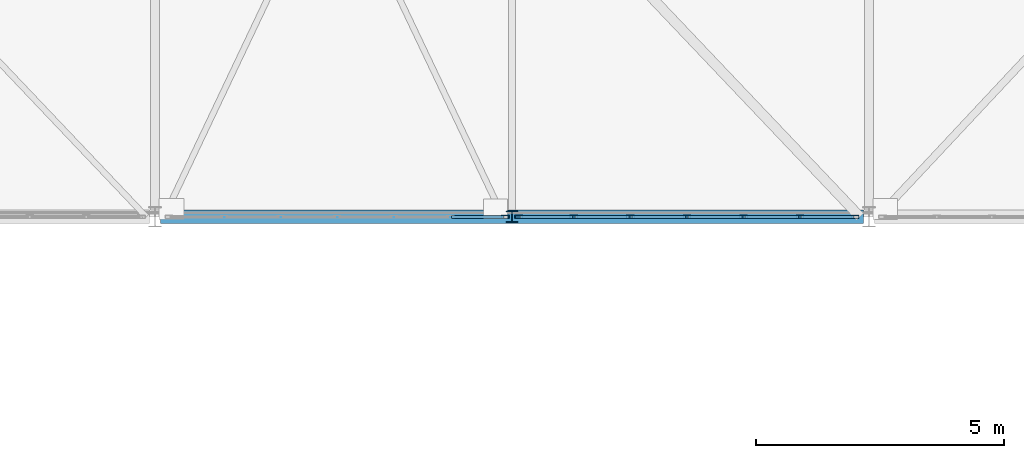
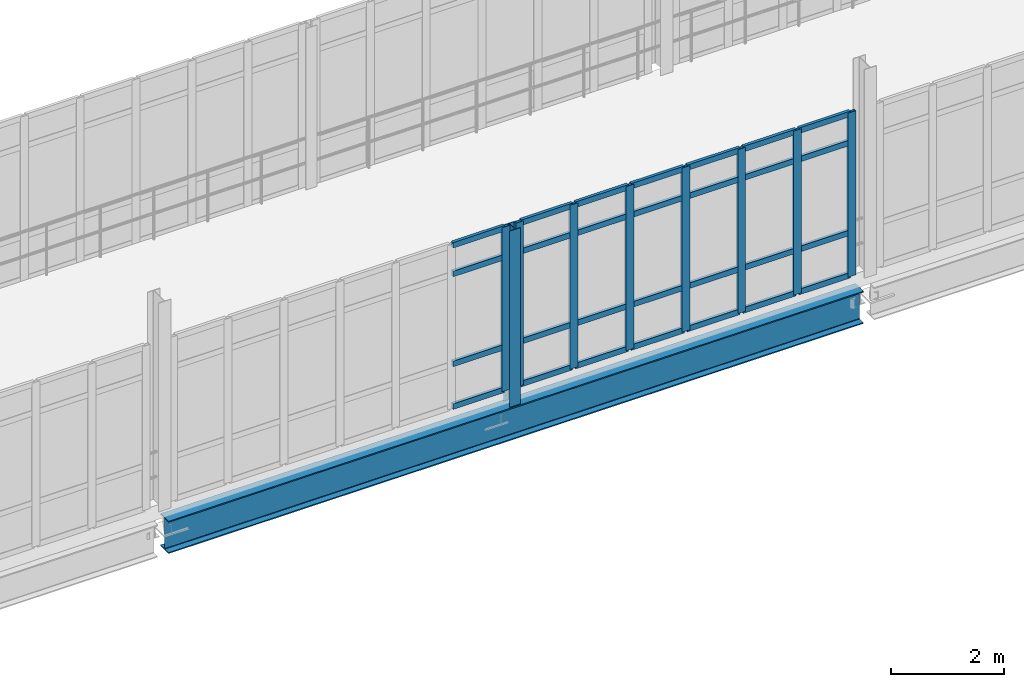
# One storey, part 43 of 116: 37 members, 1 beam, 2 elements without a shape of their own.
"""IFC4 building model written with IfcOpenShell, lengths in metres."""

from ifc_helpers import new_model, si_unit, direction, frame, origin, origin_2d, place, context, subcontext, project, spatial, hollow_rectangle, i_section, extrude, material, material_profile, profile_set, type_object, element, aggregate, save


model = new_model("IFC4")

# Units and contexts
model_context = context("Model", 3, precision=1e-05, world=origin(), true_north=direction((0.0, 1.0)))
body_context = subcontext(model_context, "Body", "Model", "MODEL_VIEW")
ifc_project = project(units=[si_unit("LENGTHUNIT", "METRE"), si_unit("AREAUNIT", "SQUARE_METRE"), si_unit("VOLUMEUNIT", "CUBIC_METRE"), si_unit("PLANEANGLEUNIT", "RADIAN"), si_unit("MASSUNIT", "GRAM", prefix="KILO")], contexts=[model_context])

# Site, building, storey
site_placement = place(None, origin())
site = spatial("IfcSite", under=ifc_project, at=site_placement, CompositionType="ELEMENT")
building_placement = place(site_placement, origin())
building = spatial("IfcBuilding", under=site, at=building_placement, Name="Kalluvel Institute of Natural Sciences", CompositionType="ELEMENT")
storey_placement = place(building_placement, frame((0.0, 0.0, 14.39990234375)))
storey = spatial("IfcBuildingStorey", under=building, at=storey_placement, Name="L03", CompositionType="ELEMENT", Elevation=14.39990234375)

# Beam
ifc_material_1 = material(Name="Steel E350 Grade 350", Category="steel")
ifc_material_profile_1 = material_profile(ifc_material_1, i_section(OverallWidth=0.280029296875, OverallDepth=0.699951171875, WebThickness=0.013916015625, FlangeThickness=0.02392578125, FilletRadius=0.01611328125, at=origin_2d()), Name="WPG 700x280")
ifc_profile_set_1 = profile_set([ifc_material_profile_1], Name="Steel E350 Grade 350")
beam_type = type_object("IfcBeamType", Name="BM-WPG700", PredefinedType="BEAM", material=ifc_profile_set_1)
beam_placement = place(storey_placement, frame((78.909912109375, 28.39990234375, -0.669921875), z_axis=(1.0, 0.0, 0.0), x_axis=(0.0, 1.0, 0.0)))
element("IfcBeam", 1, at=beam_placement, inside=storey, type_object=beam_type, Name="L03 link bridge main plate-girder chord 9", PredefinedType="BEAM", context=body_context, shape_type="SweptSolid", body=[
    extrude(i_section(OverallWidth=0.280029296875, OverallDepth=0.699951171875, WebThickness=0.013916015625, FlangeThickness=0.02392578125, FilletRadius=0.01611328125, at=origin_2d()), origin(), (0.0, 0.0, 1.0), 14.18017578125),
])

# Curtain wall, member
ifc_material_2 = material(Name="Aluminium AW-6063 T6", Category="aluminium")
curtain_wall_type = type_object("IfcCurtainWallType", Name="CW-BRG-45", PredefinedType="USERDEFINED", material=ifc_material_2)
curtain_wall_1_placement = place(storey_placement, origin())
curtain_wall_1 = element("IfcCurtainWall", 2, at=curtain_wall_1_placement, inside=storey, type_object=curtain_wall_type, Name="L03 Gothic lancet curtain wall CWA-L03-X790-Y284", ObjectType="UNITISED LANCET FACADE", PredefinedType="USERDEFINED")
ifc_material_profile_2 = material_profile(ifc_material_2, hollow_rectangle(XDim=0.06005859375, YDim=0.159912109375, WallThickness=0.00390625, at=origin_2d()), Name="CWM 60x160")
ifc_profile_set_2 = profile_set([ifc_material_profile_2], Name="Aluminium AW-6063 T6")
member_type_1 = type_object("IfcMemberType", Name="CWM-60x160", PredefinedType="MULLION", material=ifc_profile_set_2)
member_1_placement = place(storey_placement, frame((85.860107421875, 28.39990234375, 0.0), z_axis=(0.0, 0.0, 1.0), x_axis=(0.0, 1.0, 0.0)))
member_1 = element("IfcMember", 3, at=member_1_placement, type_object=member_type_1, Name="CW-07 mullion 7", PredefinedType="MULLION", context=body_context, shape_type="SweptSolid", body=[
    extrude(hollow_rectangle(XDim=0.06005859375, YDim=0.159912109375, WallThickness=0.00390625, at=origin_2d()), origin(), (0.0, 0.0, 1.0), 3.5400390625),
])

# Curtain wall, members
curtain_wall_2_placement = place(storey_placement, origin())
curtain_wall_2 = element("IfcCurtainWall", 4, at=curtain_wall_2_placement, inside=storey, type_object=curtain_wall_type, Name="L03 Gothic lancet curtain wall CWA-L03-X861-Y284", ObjectType="UNITISED LANCET FACADE", PredefinedType="USERDEFINED")
member_2_placement = place(storey_placement, frame((86.139892578125, 28.39990234375, 0.0), z_axis=(0.0, 0.0, 1.0), x_axis=(0.0, 1.0, 0.0)))
member_2 = element("IfcMember", 5, at=member_2_placement, type_object=member_type_1, Name="CW-07 mullion 1", PredefinedType="MULLION", context=body_context, shape_type="SweptSolid", body=[
    extrude(hollow_rectangle(XDim=0.06005859375, YDim=0.159912109375, WallThickness=0.00390625, at=origin_2d()), origin(), (0.0, 0.0, 1.0), 3.5400390625),
])
member_3_placement = place(storey_placement, frame((87.25, 28.39990234375, 0.0), z_axis=(0.0, 0.0, 1.0), x_axis=(0.0, 1.0, 0.0)))
member_3 = element("IfcMember", 6, at=member_3_placement, type_object=member_type_1, Name="CW-07 mullion 2", PredefinedType="MULLION", context=body_context, shape_type="SweptSolid", body=[
    extrude(hollow_rectangle(XDim=0.06005859375, YDim=0.159912109375, WallThickness=0.00390625, at=origin_2d()), origin(), (0.0, 0.0, 1.0), 3.5400390625),
])
member_4_placement = place(storey_placement, frame((88.389892578125, 28.39990234375, 0.0), z_axis=(0.0, 0.0, 1.0), x_axis=(0.0, 1.0, 0.0)))
member_4 = element("IfcMember", 7, at=member_4_placement, type_object=member_type_1, Name="CW-07 mullion 3", PredefinedType="MULLION", context=body_context, shape_type="SweptSolid", body=[
    extrude(hollow_rectangle(XDim=0.06005859375, YDim=0.159912109375, WallThickness=0.00390625, at=origin_2d()), origin(), (0.0, 0.0, 1.0), 3.5400390625),
])
member_5_placement = place(storey_placement, frame((89.530029296875, 28.39990234375, 0.0), z_axis=(0.0, 0.0, 1.0), x_axis=(0.0, 1.0, 0.0)))
member_5 = element("IfcMember", 8, at=member_5_placement, type_object=member_type_1, Name="CW-07 mullion 4", PredefinedType="MULLION", context=body_context, shape_type="SweptSolid", body=[
    extrude(hollow_rectangle(XDim=0.06005859375, YDim=0.159912109375, WallThickness=0.00390625, at=origin_2d()), origin(), (0.0, 0.0, 1.0), 3.5400390625),
])
member_6_placement = place(storey_placement, frame((90.669921875, 28.39990234375, 0.0), z_axis=(0.0, 0.0, 1.0), x_axis=(0.0, 1.0, 0.0)))
member_6 = element("IfcMember", 9, at=member_6_placement, type_object=member_type_1, Name="CW-07 mullion 5", PredefinedType="MULLION", context=body_context, shape_type="SweptSolid", body=[
    extrude(hollow_rectangle(XDim=0.06005859375, YDim=0.159912109375, WallThickness=0.00390625, at=origin_2d()), origin(), (0.0, 0.0, 1.0), 3.5400390625),
])
member_7_placement = place(storey_placement, frame((91.81005859375, 28.39990234375, 0.0), z_axis=(0.0, 0.0, 1.0), x_axis=(0.0, 1.0, 0.0)))
member_7 = element("IfcMember", 10, at=member_7_placement, type_object=member_type_1, Name="CW-07 mullion 6", PredefinedType="MULLION", context=body_context, shape_type="SweptSolid", body=[
    extrude(hollow_rectangle(XDim=0.06005859375, YDim=0.159912109375, WallThickness=0.00390625, at=origin_2d()), origin(), (0.0, 0.0, 1.0), 3.5400390625),
])
member_8_placement = place(storey_placement, frame((92.919921875, 28.39990234375, 0.0), z_axis=(0.0, 0.0, 1.0), x_axis=(0.0, 1.0, 0.0)))
member_8 = element("IfcMember", 11, at=member_8_placement, type_object=member_type_1, Name="CW-07 mullion 7", PredefinedType="MULLION", context=body_context, shape_type="SweptSolid", body=[
    extrude(hollow_rectangle(XDim=0.06005859375, YDim=0.159912109375, WallThickness=0.00390625, at=origin_2d()), origin(), (0.0, 0.0, 1.0), 3.5400390625),
])

# Member
ifc_material_profile_3 = material_profile(ifc_material_2, hollow_rectangle(XDim=0.06005859375, YDim=0.1201171875, WallThickness=0.00390625, at=origin_2d()), Name="CWT 60x120")
ifc_profile_set_3 = profile_set([ifc_material_profile_3], Name="Aluminium AW-6063 T6")
member_type_2 = type_object("IfcMemberType", Name="CWT-60x120", PredefinedType="USERDEFINED", material=ifc_profile_set_3)
member_9_placement = place(storey_placement, frame((84.780029296875, 28.39990234375, 0.030029296875), z_axis=(1.0, 0.0, 0.0), x_axis=(0.0, 1.0, 0.0)))
member_9 = element("IfcMember", 12, at=member_9_placement, type_object=member_type_2, Name="CW-07 transom 6.1", ObjectType="TRANSOM", PredefinedType="USERDEFINED", context=body_context, shape_type="SweptSolid", body=[
    extrude(hollow_rectangle(XDim=0.06005859375, YDim=0.1201171875, WallThickness=0.00390625, at=origin_2d()), origin(), (0.0, 0.0, 1.0), 1.050048828125),
])

member_10_placement = place(storey_placement, frame((84.780029296875, 28.39990234375, 0.9501953125), z_axis=(1.0, 0.0, 0.0), x_axis=(0.0, 1.0, 0.0)))
member_10 = element("IfcMember", 13, at=member_10_placement, type_object=member_type_2, Name="CW-07 transom 6.2", ObjectType="TRANSOM", PredefinedType="USERDEFINED", context=body_context, shape_type="SweptSolid", body=[
    extrude(hollow_rectangle(XDim=0.06005859375, YDim=0.1201171875, WallThickness=0.00390625, at=origin_2d()), origin(), (0.0, 0.0, 1.0), 1.050048828125),
])

member_11_placement = place(storey_placement, frame((84.780029296875, 28.39990234375, 2.89013671875), z_axis=(1.0, 0.0, 0.0), x_axis=(0.0, 1.0, 0.0)))
member_11 = element("IfcMember", 14, at=member_11_placement, type_object=member_type_2, Name="CW-07 transom 6.3", ObjectType="TRANSOM", PredefinedType="USERDEFINED", context=body_context, shape_type="SweptSolid", body=[
    extrude(hollow_rectangle(XDim=0.06005859375, YDim=0.1201171875, WallThickness=0.00390625, at=origin_2d()), origin(), (0.0, 0.0, 1.0), 1.050048828125),
])

member_12_placement = place(storey_placement, frame((84.780029296875, 28.39990234375, 3.510009765625), z_axis=(1.0, 0.0, 0.0), x_axis=(0.0, 1.0, 0.0)))
member_12 = element("IfcMember", 15, at=member_12_placement, type_object=member_type_2, Name="CW-07 transom 6.4", ObjectType="TRANSOM", PredefinedType="USERDEFINED", context=body_context, shape_type="SweptSolid", body=[
    extrude(hollow_rectangle(XDim=0.06005859375, YDim=0.1201171875, WallThickness=0.00390625, at=origin_2d()), origin(), (0.0, 0.0, 1.0), 1.050048828125),
])

aggregate(curtain_wall_1, [member_1, member_9, member_10, member_11, member_12])

member_13_placement = place(storey_placement, frame((86.169921875, 28.39990234375, 0.030029296875), z_axis=(1.0, 0.0, 0.0), x_axis=(0.0, 1.0, 0.0)))
member_13 = element("IfcMember", 16, at=member_13_placement, type_object=member_type_2, Name="CW-07 transom 1.1", ObjectType="TRANSOM", PredefinedType="USERDEFINED", context=body_context, shape_type="SweptSolid", body=[
    extrude(hollow_rectangle(XDim=0.06005859375, YDim=0.1201171875, WallThickness=0.00390625, at=origin_2d()), origin(), (0.0, 0.0, 1.0), 1.050048828125),
])

member_14_placement = place(storey_placement, frame((86.169921875, 28.39990234375, 0.9501953125), z_axis=(1.0, 0.0, 0.0), x_axis=(0.0, 1.0, 0.0)))
member_14 = element("IfcMember", 17, at=member_14_placement, type_object=member_type_2, Name="CW-07 transom 1.2", ObjectType="TRANSOM", PredefinedType="USERDEFINED", context=body_context, shape_type="SweptSolid", body=[
    extrude(hollow_rectangle(XDim=0.06005859375, YDim=0.1201171875, WallThickness=0.00390625, at=origin_2d()), origin(), (0.0, 0.0, 1.0), 1.050048828125),
])

member_15_placement = place(storey_placement, frame((86.169921875, 28.39990234375, 2.89013671875), z_axis=(1.0, 0.0, 0.0), x_axis=(0.0, 1.0, 0.0)))
member_15 = element("IfcMember", 18, at=member_15_placement, type_object=member_type_2, Name="CW-07 transom 1.3", ObjectType="TRANSOM", PredefinedType="USERDEFINED", context=body_context, shape_type="SweptSolid", body=[
    extrude(hollow_rectangle(XDim=0.06005859375, YDim=0.1201171875, WallThickness=0.00390625, at=origin_2d()), origin(), (0.0, 0.0, 1.0), 1.050048828125),
])

member_16_placement = place(storey_placement, frame((86.169921875, 28.39990234375, 3.510009765625), z_axis=(1.0, 0.0, 0.0), x_axis=(0.0, 1.0, 0.0)))
member_16 = element("IfcMember", 19, at=member_16_placement, type_object=member_type_2, Name="CW-07 transom 1.4", ObjectType="TRANSOM", PredefinedType="USERDEFINED", context=body_context, shape_type="SweptSolid", body=[
    extrude(hollow_rectangle(XDim=0.06005859375, YDim=0.1201171875, WallThickness=0.00390625, at=origin_2d()), origin(), (0.0, 0.0, 1.0), 1.050048828125),
])

member_17_placement = place(storey_placement, frame((87.280029296875, 28.39990234375, 0.030029296875), z_axis=(1.0, 0.0, 0.0), x_axis=(0.0, 1.0, 0.0)))
member_17 = element("IfcMember", 20, at=member_17_placement, type_object=member_type_2, Name="CW-07 transom 2.1", ObjectType="TRANSOM", PredefinedType="USERDEFINED", context=body_context, shape_type="SweptSolid", body=[
    extrude(hollow_rectangle(XDim=0.06005859375, YDim=0.1201171875, WallThickness=0.00390625, at=origin_2d()), origin(), (0.0, 0.0, 1.0), 1.080078125),
])

member_18_placement = place(storey_placement, frame((87.280029296875, 28.39990234375, 0.9501953125), z_axis=(1.0, 0.0, 0.0), x_axis=(0.0, 1.0, 0.0)))
member_18 = element("IfcMember", 21, at=member_18_placement, type_object=member_type_2, Name="CW-07 transom 2.2", ObjectType="TRANSOM", PredefinedType="USERDEFINED", context=body_context, shape_type="SweptSolid", body=[
    extrude(hollow_rectangle(XDim=0.06005859375, YDim=0.1201171875, WallThickness=0.00390625, at=origin_2d()), origin(), (0.0, 0.0, 1.0), 1.080078125),
])

member_19_placement = place(storey_placement, frame((87.280029296875, 28.39990234375, 2.89013671875), z_axis=(1.0, 0.0, 0.0), x_axis=(0.0, 1.0, 0.0)))
member_19 = element("IfcMember", 22, at=member_19_placement, type_object=member_type_2, Name="CW-07 transom 2.3", ObjectType="TRANSOM", PredefinedType="USERDEFINED", context=body_context, shape_type="SweptSolid", body=[
    extrude(hollow_rectangle(XDim=0.06005859375, YDim=0.1201171875, WallThickness=0.00390625, at=origin_2d()), origin(), (0.0, 0.0, 1.0), 1.080078125),
])

member_20_placement = place(storey_placement, frame((87.280029296875, 28.39990234375, 3.510009765625), z_axis=(1.0, 0.0, 0.0), x_axis=(0.0, 1.0, 0.0)))
member_20 = element("IfcMember", 23, at=member_20_placement, type_object=member_type_2, Name="CW-07 transom 2.4", ObjectType="TRANSOM", PredefinedType="USERDEFINED", context=body_context, shape_type="SweptSolid", body=[
    extrude(hollow_rectangle(XDim=0.06005859375, YDim=0.1201171875, WallThickness=0.00390625, at=origin_2d()), origin(), (0.0, 0.0, 1.0), 1.080078125),
])

member_21_placement = place(storey_placement, frame((88.419921875, 28.39990234375, 0.030029296875), z_axis=(1.0, 0.0, 0.0), x_axis=(0.0, 1.0, 0.0)))
member_21 = element("IfcMember", 24, at=member_21_placement, type_object=member_type_2, Name="CW-07 transom 3.1", ObjectType="TRANSOM", PredefinedType="USERDEFINED", context=body_context, shape_type="SweptSolid", body=[
    extrude(hollow_rectangle(XDim=0.06005859375, YDim=0.1201171875, WallThickness=0.00390625, at=origin_2d()), origin(), (0.0, 0.0, 1.0), 1.080078125),
])

member_22_placement = place(storey_placement, frame((88.419921875, 28.39990234375, 0.9501953125), z_axis=(1.0, 0.0, 0.0), x_axis=(0.0, 1.0, 0.0)))
member_22 = element("IfcMember", 25, at=member_22_placement, type_object=member_type_2, Name="CW-07 transom 3.2", ObjectType="TRANSOM", PredefinedType="USERDEFINED", context=body_context, shape_type="SweptSolid", body=[
    extrude(hollow_rectangle(XDim=0.06005859375, YDim=0.1201171875, WallThickness=0.00390625, at=origin_2d()), origin(), (0.0, 0.0, 1.0), 1.080078125),
])

member_23_placement = place(storey_placement, frame((88.419921875, 28.39990234375, 2.89013671875), z_axis=(1.0, 0.0, 0.0), x_axis=(0.0, 1.0, 0.0)))
member_23 = element("IfcMember", 26, at=member_23_placement, type_object=member_type_2, Name="CW-07 transom 3.3", ObjectType="TRANSOM", PredefinedType="USERDEFINED", context=body_context, shape_type="SweptSolid", body=[
    extrude(hollow_rectangle(XDim=0.06005859375, YDim=0.1201171875, WallThickness=0.00390625, at=origin_2d()), origin(), (0.0, 0.0, 1.0), 1.080078125),
])

member_24_placement = place(storey_placement, frame((88.419921875, 28.39990234375, 3.510009765625), z_axis=(1.0, 0.0, 0.0), x_axis=(0.0, 1.0, 0.0)))
member_24 = element("IfcMember", 27, at=member_24_placement, type_object=member_type_2, Name="CW-07 transom 3.4", ObjectType="TRANSOM", PredefinedType="USERDEFINED", context=body_context, shape_type="SweptSolid", body=[
    extrude(hollow_rectangle(XDim=0.06005859375, YDim=0.1201171875, WallThickness=0.00390625, at=origin_2d()), origin(), (0.0, 0.0, 1.0), 1.080078125),
])

member_25_placement = place(storey_placement, frame((89.56005859375, 28.39990234375, 0.030029296875), z_axis=(1.0, 0.0, 0.0), x_axis=(0.0, 1.0, 0.0)))
member_25 = element("IfcMember", 28, at=member_25_placement, type_object=member_type_2, Name="CW-07 transom 4.1", ObjectType="TRANSOM", PredefinedType="USERDEFINED", context=body_context, shape_type="SweptSolid", body=[
    extrude(hollow_rectangle(XDim=0.06005859375, YDim=0.1201171875, WallThickness=0.00390625, at=origin_2d()), origin(), (0.0, 0.0, 1.0), 1.079833984375),
])

member_26_placement = place(storey_placement, frame((89.56005859375, 28.39990234375, 0.9501953125), z_axis=(1.0, 0.0, 0.0), x_axis=(0.0, 1.0, 0.0)))
member_26 = element("IfcMember", 29, at=member_26_placement, type_object=member_type_2, Name="CW-07 transom 4.2", ObjectType="TRANSOM", PredefinedType="USERDEFINED", context=body_context, shape_type="SweptSolid", body=[
    extrude(hollow_rectangle(XDim=0.06005859375, YDim=0.1201171875, WallThickness=0.00390625, at=origin_2d()), origin(), (0.0, 0.0, 1.0), 1.079833984375),
])

member_27_placement = place(storey_placement, frame((89.56005859375, 28.39990234375, 2.89013671875), z_axis=(1.0, 0.0, 0.0), x_axis=(0.0, 1.0, 0.0)))
member_27 = element("IfcMember", 30, at=member_27_placement, type_object=member_type_2, Name="CW-07 transom 4.3", ObjectType="TRANSOM", PredefinedType="USERDEFINED", context=body_context, shape_type="SweptSolid", body=[
    extrude(hollow_rectangle(XDim=0.06005859375, YDim=0.1201171875, WallThickness=0.00390625, at=origin_2d()), origin(), (0.0, 0.0, 1.0), 1.079833984375),
])

member_28_placement = place(storey_placement, frame((89.56005859375, 28.39990234375, 3.510009765625), z_axis=(1.0, 0.0, 0.0), x_axis=(0.0, 1.0, 0.0)))
member_28 = element("IfcMember", 31, at=member_28_placement, type_object=member_type_2, Name="CW-07 transom 4.4", ObjectType="TRANSOM", PredefinedType="USERDEFINED", context=body_context, shape_type="SweptSolid", body=[
    extrude(hollow_rectangle(XDim=0.06005859375, YDim=0.1201171875, WallThickness=0.00390625, at=origin_2d()), origin(), (0.0, 0.0, 1.0), 1.079833984375),
])

member_29_placement = place(storey_placement, frame((90.699951171875, 28.39990234375, 0.030029296875), z_axis=(1.0, 0.0, 0.0), x_axis=(0.0, 1.0, 0.0)))
member_29 = element("IfcMember", 32, at=member_29_placement, type_object=member_type_2, Name="CW-07 transom 5.1", ObjectType="TRANSOM", PredefinedType="USERDEFINED", context=body_context, shape_type="SweptSolid", body=[
    extrude(hollow_rectangle(XDim=0.06005859375, YDim=0.1201171875, WallThickness=0.00390625, at=origin_2d()), origin(), (0.0, 0.0, 1.0), 1.080078125),
])

member_30_placement = place(storey_placement, frame((90.699951171875, 28.39990234375, 0.9501953125), z_axis=(1.0, 0.0, 0.0), x_axis=(0.0, 1.0, 0.0)))
member_30 = element("IfcMember", 33, at=member_30_placement, type_object=member_type_2, Name="CW-07 transom 5.2", ObjectType="TRANSOM", PredefinedType="USERDEFINED", context=body_context, shape_type="SweptSolid", body=[
    extrude(hollow_rectangle(XDim=0.06005859375, YDim=0.1201171875, WallThickness=0.00390625, at=origin_2d()), origin(), (0.0, 0.0, 1.0), 1.080078125),
])

member_31_placement = place(storey_placement, frame((90.699951171875, 28.39990234375, 2.89013671875), z_axis=(1.0, 0.0, 0.0), x_axis=(0.0, 1.0, 0.0)))
member_31 = element("IfcMember", 34, at=member_31_placement, type_object=member_type_2, Name="CW-07 transom 5.3", ObjectType="TRANSOM", PredefinedType="USERDEFINED", context=body_context, shape_type="SweptSolid", body=[
    extrude(hollow_rectangle(XDim=0.06005859375, YDim=0.1201171875, WallThickness=0.00390625, at=origin_2d()), origin(), (0.0, 0.0, 1.0), 1.080078125),
])

member_32_placement = place(storey_placement, frame((90.699951171875, 28.39990234375, 3.510009765625), z_axis=(1.0, 0.0, 0.0), x_axis=(0.0, 1.0, 0.0)))
member_32 = element("IfcMember", 35, at=member_32_placement, type_object=member_type_2, Name="CW-07 transom 5.4", ObjectType="TRANSOM", PredefinedType="USERDEFINED", context=body_context, shape_type="SweptSolid", body=[
    extrude(hollow_rectangle(XDim=0.06005859375, YDim=0.1201171875, WallThickness=0.00390625, at=origin_2d()), origin(), (0.0, 0.0, 1.0), 1.080078125),
])

member_33_placement = place(storey_placement, frame((91.840087890625, 28.39990234375, 0.030029296875), z_axis=(1.0, 0.0, 0.0), x_axis=(0.0, 1.0, 0.0)))
member_33 = element("IfcMember", 36, at=member_33_placement, type_object=member_type_2, Name="CW-07 transom 6.1", ObjectType="TRANSOM", PredefinedType="USERDEFINED", context=body_context, shape_type="SweptSolid", body=[
    extrude(hollow_rectangle(XDim=0.06005859375, YDim=0.1201171875, WallThickness=0.00390625, at=origin_2d()), origin(), (0.0, 0.0, 1.0), 1.0498046875),
])

member_34_placement = place(storey_placement, frame((91.840087890625, 28.39990234375, 0.9501953125), z_axis=(1.0, 0.0, 0.0), x_axis=(0.0, 1.0, 0.0)))
member_34 = element("IfcMember", 37, at=member_34_placement, type_object=member_type_2, Name="CW-07 transom 6.2", ObjectType="TRANSOM", PredefinedType="USERDEFINED", context=body_context, shape_type="SweptSolid", body=[
    extrude(hollow_rectangle(XDim=0.06005859375, YDim=0.1201171875, WallThickness=0.00390625, at=origin_2d()), origin(), (0.0, 0.0, 1.0), 1.0498046875),
])

member_35_placement = place(storey_placement, frame((91.840087890625, 28.39990234375, 2.89013671875), z_axis=(1.0, 0.0, 0.0), x_axis=(0.0, 1.0, 0.0)))
member_35 = element("IfcMember", 38, at=member_35_placement, type_object=member_type_2, Name="CW-07 transom 6.3", ObjectType="TRANSOM", PredefinedType="USERDEFINED", context=body_context, shape_type="SweptSolid", body=[
    extrude(hollow_rectangle(XDim=0.06005859375, YDim=0.1201171875, WallThickness=0.00390625, at=origin_2d()), origin(), (0.0, 0.0, 1.0), 1.0498046875),
])

member_36_placement = place(storey_placement, frame((91.840087890625, 28.39990234375, 3.510009765625), z_axis=(1.0, 0.0, 0.0), x_axis=(0.0, 1.0, 0.0)))
member_36 = element("IfcMember", 39, at=member_36_placement, type_object=member_type_2, Name="CW-07 transom 6.4", ObjectType="TRANSOM", PredefinedType="USERDEFINED", context=body_context, shape_type="SweptSolid", body=[
    extrude(hollow_rectangle(XDim=0.06005859375, YDim=0.1201171875, WallThickness=0.00390625, at=origin_2d()), origin(), (0.0, 0.0, 1.0), 1.0498046875),
])

aggregate(curtain_wall_2, [member_2, member_3, member_4, member_5, member_6, member_7, member_8, member_13, member_14, member_15, member_16, member_17, member_18, member_19, member_20, member_21, member_22, member_23, member_24, member_25, member_26, member_27, member_28, member_29, member_30, member_31, member_32, member_33, member_34, member_35, member_36])

ifc_material_profile_4 = material_profile(ifc_material_1, i_section(OverallWidth=0.22509765625, OverallDepth=0.22509765625, WebThickness=0.008544921875, FlangeThickness=0.009033203125, FilletRadius=0.010009765625, at=origin_2d()), Name="ISHB 225")
ifc_profile_set_4 = profile_set([ifc_material_profile_4], Name="Steel E350 Grade 350")
member_type_3 = type_object("IfcMemberType", Name="MB-ST-ISHB225", PredefinedType="STRUT", material=ifc_profile_set_4)
member_37_placement = place(storey_placement, frame((86.0, 28.39990234375, -0.31982421875), z_axis=(0.0, 0.0, 1.0), x_axis=(1.0, 0.0, 0.0)))
element("IfcMember", 40, at=member_37_placement, inside=storey, type_object=member_type_3, Name="Glazed link bridge truss post 23", PredefinedType="STRUT", context=body_context, shape_type="SweptSolid", body=[
    extrude(i_section(OverallWidth=0.22509765625, OverallDepth=0.22509765625, WebThickness=0.008544921875, FlangeThickness=0.009033203125, FilletRadius=0.010009765625, at=origin_2d()), origin(), (0.0, 0.0, 1.0), 3.7998046875),
])

save(model, "model.ifc")
